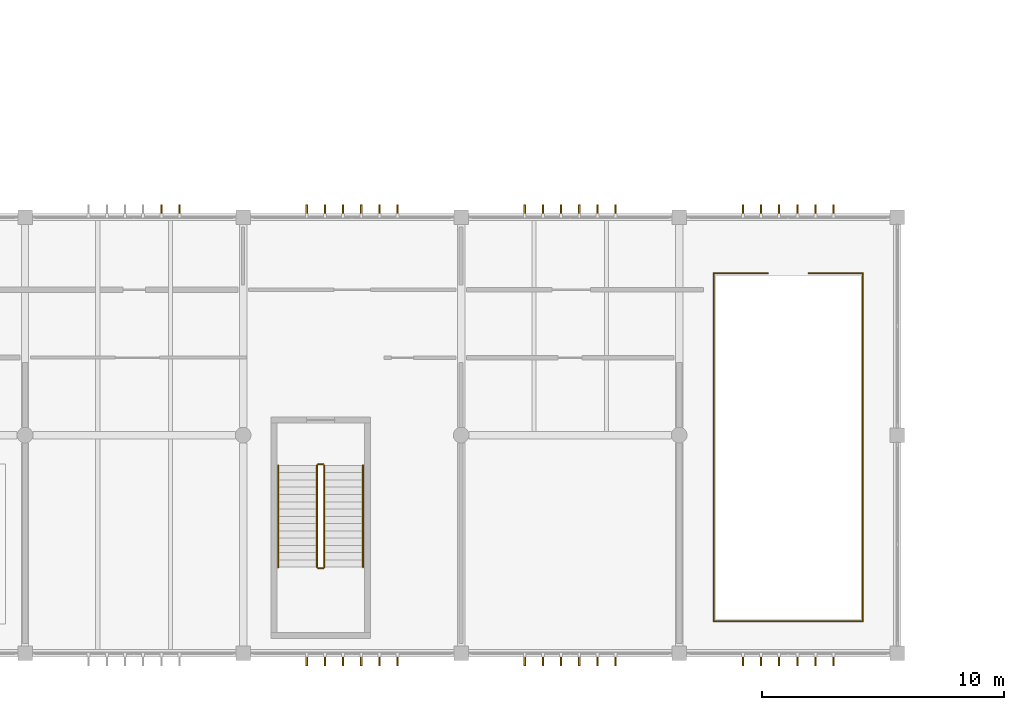
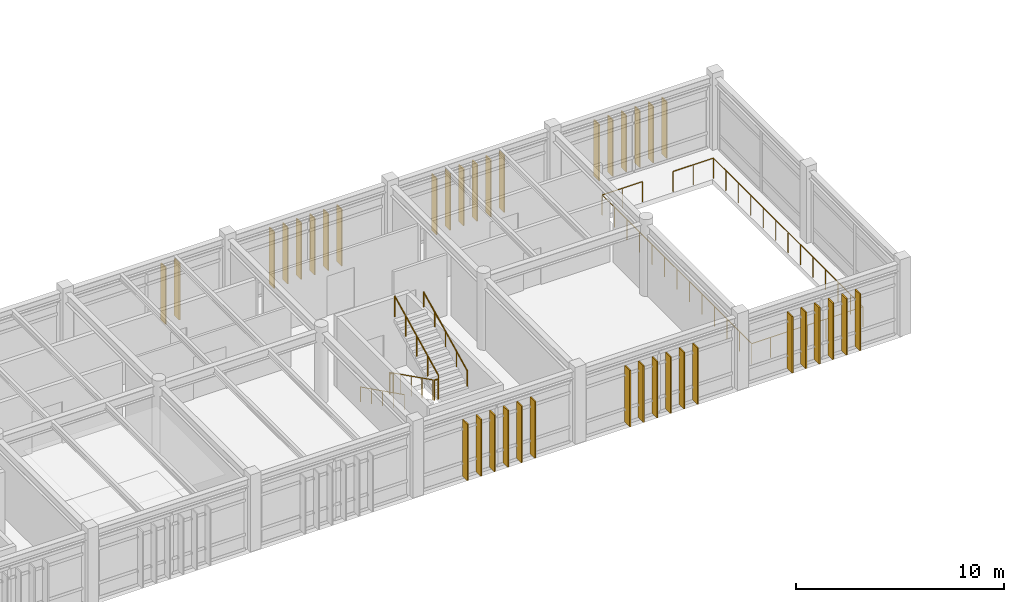
# One storey, part 51 of 55: 38 shading devices, 11 railings.
"""IFC4 building model written with IfcOpenShell, lengths in metres."""

import ifcopenshell
import ifcopenshell.guid

model = None  # the IFC model being written
_history = None  # IfcOwnerHistory: only IFC2X3 demands one
_inside = {}  # id of a spatial element -> (the spatial element, [elements in it])
_under = {}  # id of a project, library or spatial element -> (it, [spatial elements below it])
_declared = {}  # id of a project -> (the project, [libraries it declares])
_typed = {}  # id of a type object -> (the type object, [elements of that type])
_made_of = {}  # id of a material, layer set ... -> (it, [elements and type objects made of it])


def new_model(schema):
    """Start an empty IFC model of exactly this schema.

    Asked for "IFC4X3", IfcOpenShell would pick the latest addendum, in which some entities
    have other attributes; the version numbers below select the first issue.
    IFC2X3 requires an IfcOwnerHistory on every rooted entity: one is made here for all.
    """
    global model, _history
    if schema == "IFC4X3":
        model = ifcopenshell.file(schema_version=(4, 3, 0, 0))
    else:
        model = ifcopenshell.file(schema=schema)
    _inside.clear()
    _under.clear()
    _declared.clear()
    _typed.clear()
    _made_of.clear()
    _history = None
    if model.schema == "IFC2X3":
        org = make("IfcOrganization", Name="unknown")
        user = make(
            "IfcPersonAndOrganization",
            ThePerson=make("IfcPerson", FamilyName="unknown"),
            TheOrganization=org,
        )
        app = make(
            "IfcApplication",
            ApplicationDeveloper=org,
            Version="unknown",
            ApplicationFullName="unknown",
            ApplicationIdentifier="unknown",
        )
        _history = make(
            "IfcOwnerHistory",
            OwningUser=user,
            OwningApplication=app,
            ChangeAction="ADDED",
            CreationDate=0,
        )
    return model


def make(cls, **values):
    """One entity of the class cls with the attributes given. An attribute that is None is left unset."""
    return model.create_entity(
        cls, **{name: value for name, value in values.items() if value is not None}
    )


def rooted(cls, **values):
    """An entity with a GlobalId (a new one), such as an element, a storey or a relation."""
    return make(cls, GlobalId=ifcopenshell.guid.new(), OwnerHistory=_history, **values)


def si_unit(unit_type, name, prefix=None):
    """IfcSIUnit, for example si_unit("LENGTHUNIT", "METRE", prefix="MILLI")."""
    return make("IfcSIUnit", UnitType=unit_type, Prefix=prefix, Name=name)


def assignment(units):
    """IfcUnitAssignment: the units of a project."""
    return None if units is None else make("IfcUnitAssignment", Units=units)


def point(xyz):
    """IfcCartesianPoint."""
    return None if xyz is None else make("IfcCartesianPoint", Coordinates=xyz)


def direction(xyz):
    """IfcDirection."""
    return None if xyz is None else make("IfcDirection", DirectionRatios=xyz)


def frame(location, z_axis=None, x_axis=None):
    """IfcAxis2Placement3D, a coordinate frame: its origin and axes. An axis left out is left unset."""
    return make(
        "IfcAxis2Placement3D",
        Location=point(location),
        Axis=direction(z_axis),
        RefDirection=direction(x_axis),
    )


def frame_2d(location, x_axis=None):
    """IfcAxis2Placement2D, a coordinate frame in the plane: its origin and x axis."""
    return make(
        "IfcAxis2Placement2D", Location=point(location), RefDirection=direction(x_axis)
    )


def origin():
    """The frame at (0, 0, 0) with its axes left unset."""
    return frame((0.0, 0.0, 0.0))


def origin_2d():
    """The frame at (0, 0) in the plane with its x axis left unset."""
    return frame_2d((0.0, 0.0))


def place(relative_to, where):
    """IfcLocalPlacement: puts the frame where relative to a parent placement (None: the world)."""
    return make(
        "IfcLocalPlacement", PlacementRelTo=relative_to, RelativePlacement=where
    )


def context(
    kind, dimensions, precision=None, world=None, true_north=None, identifier=None
):
    """IfcGeometricRepresentationContext, for example the 3D "Model" context."""
    return make(
        "IfcGeometricRepresentationContext",
        ContextIdentifier=identifier,
        ContextType=kind,
        CoordinateSpaceDimension=dimensions,
        Precision=precision,
        WorldCoordinateSystem=world,
        TrueNorth=true_north,
    )


def subcontext(parent, identifier, kind, view, scale=None):
    """IfcGeometricRepresentationSubContext, for example "Body" below "Model"."""
    return make(
        "IfcGeometricRepresentationSubContext",
        ContextIdentifier=identifier,
        ContextType=kind,
        ParentContext=parent,
        TargetScale=scale,
        TargetView=view,
    )


def project(units=None, contexts=None):
    """IfcProject with its units and contexts."""
    return rooted(
        "IfcProject",
        Name="project",
        RepresentationContexts=contexts,
        UnitsInContext=assignment(units),
    )


def spatial(cls, under=None, at=None, **own):
    """A site, building, storey or space (cls), placed at a placement, below another one or the project."""
    s = rooted(cls, ObjectPlacement=at, **own)
    if under is not None:
        _under.setdefault(under.id(), (under, []))[1].append(s)
    return s


def profile(cls, at=None, kind="AREA", **sizes):
    """A parametric profile (cls). Its sizes go by their IFC names, for example OverallWidth=200.0."""
    return make(cls, ProfileType=kind, Position=at, **sizes)


def rectangle(**sizes):
    """IfcRectangleProfileDef."""
    return profile("IfcRectangleProfileDef", **sizes)


def circle(**sizes):
    """IfcCircleProfileDef."""
    return profile("IfcCircleProfileDef", **sizes)


def extrude(swept, where, along, depth):
    """IfcExtrudedAreaSolid: the profile swept, set in the frame where, extruded along a direction by depth."""
    return make(
        "IfcExtrudedAreaSolid",
        SweptArea=swept,
        Position=where,
        ExtrudedDirection=direction(along),
        Depth=depth,
    )


def shape(context_of_items, identifier, shape_type, items):
    """IfcShapeRepresentation: the items that make up one representation, for example the "Body"."""
    return make(
        "IfcShapeRepresentation",
        ContextOfItems=context_of_items,
        RepresentationIdentifier=identifier,
        RepresentationType=shape_type,
        Items=items,
    )


def material(Name=None, Category=None):
    """IfcMaterial."""
    return make("IfcMaterial", Name=Name, Category=Category)


def made_of(thing, what):
    """Note that an element or type object is made of a material, layer set ...; save() writes the relation."""
    if what is not None:
        _made_of.setdefault(what.id(), (what, []))[1].append(thing)
    return thing


def type_object(cls, material=None, **own):
    """A type object (cls), such as IfcWallType, which elements share."""
    return made_of(rooted(cls, **own), material)


def element(
    cls,
    number,
    at=None,
    inside=None,
    cuts=None,
    type_object=None,
    material=None,
    context=None,
    identifier="Body",
    shape_type=None,
    held_by="IfcProductDefinitionShape",
    body=None,
    shapes=None,
    **own,
):
    """One element of the class cls, such as IfcWall. Its Tag is "e" and its number.

    at: its placement. inside: the storey or other place that contains it. cuts: it is an
    opening in that element (IfcRelVoidsElement). A single representation is given by context,
    identifier, shape_type and body (its items); several are given by shapes. held_by: the class
    of the entity that holds the representations. save() writes the other relations.
    """
    e = rooted(cls, Tag="e%d" % number, ObjectPlacement=at, **own)
    if body is not None:
        shapes = [shape(context, identifier, shape_type, body)]
    if shapes is not None:
        e.Representation = make(held_by, Representations=shapes)
    if inside is not None:
        _inside.setdefault(inside.id(), (inside, []))[1].append(e)
    if cuts is not None:
        rooted(
            "IfcRelVoidsElement", RelatingBuildingElement=cuts, RelatedOpeningElement=e
        )
    if type_object is not None:
        _typed.setdefault(type_object.id(), (type_object, []))[1].append(e)
    return made_of(e, material)


def aggregate(whole, parts):
    """IfcRelAggregates: a whole, such as a stair, and the parts it consists of."""
    return rooted("IfcRelAggregates", RelatingObject=whole, RelatedObjects=parts)


def save(model, path):
    """Write the relations noted so far, then the file.

    IfcRelAggregates (storeys below a building ...), IfcRelContainedInSpatialStructure (elements
    in a storey), IfcRelDefinesByType, IfcRelAssociatesMaterial and IfcRelDeclares: one each for
    every whole, place, type object, material and project.
    """
    for whole, parts in _under.values():
        aggregate(whole, parts)
    for where, things in _inside.values():
        rooted(
            "IfcRelContainedInSpatialStructure",
            RelatedElements=things,
            RelatingStructure=where,
        )
    for kind, things in _typed.values():
        rooted("IfcRelDefinesByType", RelatedObjects=things, RelatingType=kind)
    for what, things in _made_of.values():
        rooted("IfcRelAssociatesMaterial", RelatedObjects=things, RelatingMaterial=what)
    for by, libraries in _declared.values():
        rooted("IfcRelDeclares", RelatingContext=by, RelatedDefinitions=libraries)
    model.write(path)


model = new_model("IFC4")

# Units and contexts
model_context = context("Model", 3, precision=1e-05, world=origin(), true_north=direction((0.0, 1.0)))
body_context = subcontext(model_context, "Body", "Model", "MODEL_VIEW")
ifc_project = project(units=[si_unit("LENGTHUNIT", "METRE"), si_unit("AREAUNIT", "SQUARE_METRE"), si_unit("VOLUMEUNIT", "CUBIC_METRE"), si_unit("PLANEANGLEUNIT", "RADIAN"), si_unit("MASSUNIT", "GRAM", prefix="KILO")], contexts=[model_context])

# Site, building, storey
site_placement = place(None, origin())
site = spatial("IfcSite", under=ifc_project, at=site_placement, CompositionType="ELEMENT")
building_placement = place(site_placement, origin())
building = spatial("IfcBuilding", under=site, at=building_placement, Name="Bozkorgan Art Gallery", CompositionType="ELEMENT")
storey_placement = place(building_placement, frame((0.0, 0.0, 15.0)))
storey = spatial("IfcBuildingStorey", under=building, at=storey_placement, Name="L03", CompositionType="ELEMENT", Elevation=15.0)

# Railings
ifc_material_1 = material(Name="Steel S355J2", Category="steel")
railing_type_1 = type_object("IfcRailingType", Name="RAIL-BAL-INT", PredefinedType="BALUSTRADE", material=ifc_material_1)
railing_1_placement = place(storey_placement, frame((57.419921875, 3.320068359375, 0.0)))
element("IfcRailing", 1, at=railing_1_placement, inside=storey, type_object=railing_type_1, Name="V1 L03 gallery_stair_atrium guard S", PredefinedType="BALUSTRADE", context=body_context, shape_type="SweptSolid", body=[
    extrude(circle(Radius=0.02392578125, at=origin_2d()), frame((0.0, 0.0, 1.17578125), z_axis=(1.0, 0.0, 0.0), x_axis=(0.0, 1.0, 0.0)), (0.0, 0.0, 1.0), 6.16015625),
    extrude(circle(Radius=0.02099609375, at=origin_2d()), origin(), (0.0, 0.0, 1.0), 1.15185546875),
    extrude(circle(Radius=0.02099609375, at=origin_2d()), frame((1.026611328125, 0.0, 0.0)), (0.0, 0.0, 1.0), 1.15185546875),
    extrude(circle(Radius=0.02099609375, at=origin_2d()), frame((2.053466796875, 0.0, 0.0)), (0.0, 0.0, 1.0), 1.15185546875),
    extrude(circle(Radius=0.02099609375, at=origin_2d()), frame((3.080078125, 0.0, 0.0)), (0.0, 0.0, 1.0), 1.15185546875),
    extrude(circle(Radius=0.02099609375, at=origin_2d()), frame((4.106689453125, 0.0, 0.0)), (0.0, 0.0, 1.0), 1.15185546875),
    extrude(circle(Radius=0.02099609375, at=origin_2d()), frame((5.133544921875, 0.0, 0.0)), (0.0, 0.0, 1.0), 1.15185546875),
    extrude(circle(Radius=0.02099609375, at=origin_2d()), frame((6.16015625, 0.0, 0.0)), (0.0, 0.0, 1.0), 1.15185546875),
])
railing_2_placement = place(storey_placement, frame((57.419921875, 3.320068359375, 0.0)))
element("IfcRailing", 2, at=railing_2_placement, inside=storey, type_object=railing_type_1, Name="V1 L03 gallery_stair_atrium guard W", PredefinedType="BALUSTRADE", context=body_context, shape_type="SweptSolid", body=[
    extrude(circle(Radius=0.02392578125, at=origin_2d()), frame((0.0, 0.0, 1.17578125), z_axis=(0.0, 1.0, 0.0), x_axis=(-1.0, 0.0, 0.0)), (0.0, 0.0, 1.0), 14.35986328125),
    extrude(circle(Radius=0.02099609375, at=origin_2d()), origin(), (0.0, 0.0, 1.0), 1.15185546875),
    extrude(circle(Radius=0.02099609375, at=origin_2d()), frame((0.0, 1.19677734375, 0.0)), (0.0, 0.0, 1.0), 1.15185546875),
    extrude(circle(Radius=0.02099609375, at=origin_2d()), frame((0.0, 2.393310546875, 0.0)), (0.0, 0.0, 1.0), 1.15185546875),
    extrude(circle(Radius=0.02099609375, at=origin_2d()), frame((0.0, 3.58984375, 0.0)), (0.0, 0.0, 1.0), 1.15185546875),
    extrude(circle(Radius=0.02099609375, at=origin_2d()), frame((0.0, 4.78662109375, 0.0)), (0.0, 0.0, 1.0), 1.15185546875),
    extrude(circle(Radius=0.02099609375, at=origin_2d()), frame((0.0, 5.9833984375, 0.0)), (0.0, 0.0, 1.0), 1.15185546875),
    extrude(circle(Radius=0.02099609375, at=origin_2d()), frame((0.0, 7.179931640625, 0.0)), (0.0, 0.0, 1.0), 1.15185546875),
    extrude(circle(Radius=0.02099609375, at=origin_2d()), frame((0.0, 8.37646484375, 0.0)), (0.0, 0.0, 1.0), 1.15185546875),
    extrude(circle(Radius=0.02099609375, at=origin_2d()), frame((0.0, 9.5732421875, 0.0)), (0.0, 0.0, 1.0), 1.15185546875),
    extrude(circle(Radius=0.02099609375, at=origin_2d()), frame((0.0, 10.77001953125, 0.0)), (0.0, 0.0, 1.0), 1.15185546875),
    extrude(circle(Radius=0.02099609375, at=origin_2d()), frame((0.0, 11.966552734375, 0.0)), (0.0, 0.0, 1.0), 1.15185546875),
    extrude(circle(Radius=0.02099609375, at=origin_2d()), frame((0.0, 13.1630859375, 0.0)), (0.0, 0.0, 1.0), 1.15185546875),
    extrude(circle(Radius=0.02099609375, at=origin_2d()), frame((0.0, 14.35986328125, 0.0)), (0.0, 0.0, 1.0), 1.15185546875),
])
railing_3_placement = place(storey_placement, frame((63.580078125, 3.320068359375, 0.0)))
element("IfcRailing", 3, at=railing_3_placement, inside=storey, type_object=railing_type_1, Name="V1 L03 gallery_stair_atrium guard E", PredefinedType="BALUSTRADE", context=body_context, shape_type="SweptSolid", body=[
    extrude(circle(Radius=0.02392578125, at=origin_2d()), frame((0.0, 0.0, 1.17578125), z_axis=(0.0, 1.0, 0.0), x_axis=(-1.0, 0.0, 0.0)), (0.0, 0.0, 1.0), 14.35986328125),
    extrude(circle(Radius=0.02099609375, at=origin_2d()), origin(), (0.0, 0.0, 1.0), 1.15185546875),
    extrude(circle(Radius=0.02099609375, at=origin_2d()), frame((0.0, 1.19677734375, 0.0)), (0.0, 0.0, 1.0), 1.15185546875),
    extrude(circle(Radius=0.02099609375, at=origin_2d()), frame((0.0, 2.393310546875, 0.0)), (0.0, 0.0, 1.0), 1.15185546875),
    extrude(circle(Radius=0.02099609375, at=origin_2d()), frame((0.0, 3.58984375, 0.0)), (0.0, 0.0, 1.0), 1.15185546875),
    extrude(circle(Radius=0.02099609375, at=origin_2d()), frame((0.0, 4.78662109375, 0.0)), (0.0, 0.0, 1.0), 1.15185546875),
    extrude(circle(Radius=0.02099609375, at=origin_2d()), frame((0.0, 5.9833984375, 0.0)), (0.0, 0.0, 1.0), 1.15185546875),
    extrude(circle(Radius=0.02099609375, at=origin_2d()), frame((0.0, 7.179931640625, 0.0)), (0.0, 0.0, 1.0), 1.15185546875),
    extrude(circle(Radius=0.02099609375, at=origin_2d()), frame((0.0, 8.37646484375, 0.0)), (0.0, 0.0, 1.0), 1.15185546875),
    extrude(circle(Radius=0.02099609375, at=origin_2d()), frame((0.0, 9.5732421875, 0.0)), (0.0, 0.0, 1.0), 1.15185546875),
    extrude(circle(Radius=0.02099609375, at=origin_2d()), frame((0.0, 10.77001953125, 0.0)), (0.0, 0.0, 1.0), 1.15185546875),
    extrude(circle(Radius=0.02099609375, at=origin_2d()), frame((0.0, 11.966552734375, 0.0)), (0.0, 0.0, 1.0), 1.15185546875),
    extrude(circle(Radius=0.02099609375, at=origin_2d()), frame((0.0, 13.1630859375, 0.0)), (0.0, 0.0, 1.0), 1.15185546875),
    extrude(circle(Radius=0.02099609375, at=origin_2d()), frame((0.0, 14.35986328125, 0.0)), (0.0, 0.0, 1.0), 1.15185546875),
])
for number, where, name in (
    (4, (57.419921875, 17.679931640625, 0.0), "V1 L03 gallery_stair_atrium guard N1"),
    (5, (61.35009765625, 17.679931640625, 0.0), "V1 L03 gallery_stair_atrium guard N2"),
):
    element("IfcRailing", number, at=place(storey_placement, frame(where)), inside=storey, type_object=railing_type_1, Name=name, PredefinedType="BALUSTRADE", context=body_context, shape_type="SweptSolid", body=[
        extrude(circle(Radius=0.02392578125, at=origin_2d()), frame((0.0, 0.0, 1.17578125), z_axis=(1.0, 0.0, 0.0), x_axis=(0.0, 1.0, 0.0)), (0.0, 0.0, 1.0), 2.22998046875),
        extrude(circle(Radius=0.02099609375, at=origin_2d()), origin(), (0.0, 0.0, 1.0), 1.15185546875),
        extrude(circle(Radius=0.02099609375, at=origin_2d()), frame((1.114990234375, 0.0, 0.0)), (0.0, 0.0, 1.0), 1.15185546875),
        extrude(circle(Radius=0.02099609375, at=origin_2d()), frame((2.22998046875, 0.0, 0.0)), (0.0, 0.0, 1.0), 1.15185546875),
    ])
railing_type_2 = type_object("IfcRailingType", Name="RAIL-GRD-115", PredefinedType="GUARDRAIL", material=ifc_material_1)
railing_4_placement = place(storey_placement, frame((41.050048828125, 9.75, 0.14990234375)))
element("IfcRailing", 6, at=railing_4_placement, inside=storey, type_object=railing_type_2, Name="L03 ST12 stair guard 1", PredefinedType="GUARDRAIL", context=body_context, shape_type="SweptSolid", body=[
    extrude(circle(Radius=0.02392578125, at=origin_2d()), frame((0.0, 0.0, 1.17578125), z_axis=(0.0, -0.894416792377, 0.447234392142), x_axis=(1.0, 0.0, 0.0)), (0.0, 0.0, 1.0), 4.69580078125),
    extrude(circle(Radius=0.02099609375, at=origin_2d()), origin(), (0.0, 0.0, 1.0), 1.15185546875),
    extrude(circle(Radius=0.02099609375, at=origin_2d()), frame((0.0, -1.050048828125, 0.52490234375)), (0.0, 0.0, 1.0), 1.15185546875),
    extrude(circle(Radius=0.02099609375, at=origin_2d()), frame((0.0, -2.10009765625, 1.050048828125)), (0.0, 0.0, 1.0), 1.15185546875),
    extrude(circle(Radius=0.02099609375, at=origin_2d()), frame((0.0, -3.14990234375, 1.5751953125)), (0.0, 0.0, 1.0), 1.15185546875),
    extrude(circle(Radius=0.02099609375, at=origin_2d()), frame((0.0, -4.199951171875, 2.10009765625)), (0.0, 0.0, 1.0), 1.15185546875),
])
railing_5_placement = place(storey_placement, frame((41.10009765625, 5.5, 2.25)))
element("IfcRailing", 7, at=railing_5_placement, inside=storey, type_object=railing_type_2, Name="L03 ST12 stair guard 2", PredefinedType="GUARDRAIL", context=body_context, shape_type="SweptSolid", body=[
    extrude(circle(Radius=0.02392578125, at=origin_2d()), frame((0.0, 0.0, 1.17578125), z_axis=(1.0, 0.0, 0.0), x_axis=(0.0, 1.0, 0.0)), (0.0, 0.0, 1.0), 0.199951171875),
    extrude(circle(Radius=0.02099609375, at=origin_2d()), origin(), (0.0, 0.0, 1.0), 1.15185546875),
    extrude(circle(Radius=0.02099609375, at=origin_2d()), frame((0.199951171875, 0.0, 0.0)), (0.0, 0.0, 1.0), 1.15185546875),
])
railing_6_placement = place(storey_placement, frame((41.35009765625, 5.550048828125, 2.39990234375)))
element("IfcRailing", 8, at=railing_6_placement, inside=storey, type_object=railing_type_2, Name="L03 ST12 stair guard 3", PredefinedType="GUARDRAIL", context=body_context, shape_type="SweptSolid", body=[
    extrude(circle(Radius=0.02392578125, at=origin_2d()), frame((0.0, 0.0, 1.17578125), z_axis=(0.0, 0.894416792377, 0.447234392142), x_axis=(-1.0, 0.0, 0.0)), (0.0, 0.0, 1.0), 4.69580078125),
    extrude(circle(Radius=0.02099609375, at=origin_2d()), origin(), (0.0, 0.0, 1.0), 1.15185546875),
    extrude(circle(Radius=0.02099609375, at=origin_2d()), frame((0.0, 1.050048828125, 0.52490234375)), (0.0, 0.0, 1.0), 1.15185546875),
    extrude(circle(Radius=0.02099609375, at=origin_2d()), frame((0.0, 2.10009765625, 1.050048828125)), (0.0, 0.0, 1.0), 1.15185546875),
    extrude(circle(Radius=0.02099609375, at=origin_2d()), frame((0.0, 3.14990234375, 1.5751953125)), (0.0, 0.0, 1.0), 1.15185546875),
    extrude(circle(Radius=0.02099609375, at=origin_2d()), frame((0.0, 4.199951171875, 2.10009765625)), (0.0, 0.0, 1.0), 1.15185546875),
])
railing_7_placement = place(storey_placement, frame((41.10009765625, 9.800048828125, 0.0)))
element("IfcRailing", 9, at=railing_7_placement, inside=storey, type_object=railing_type_2, Name="L03 ST12 stair guard 4", PredefinedType="GUARDRAIL", context=body_context, shape_type="SweptSolid", body=[
    extrude(circle(Radius=0.02392578125, at=origin_2d()), frame((0.0, 0.0, 1.17578125), z_axis=(1.0, 0.0, 0.0), x_axis=(0.0, 1.0, 0.0)), (0.0, 0.0, 1.0), 0.199951171875),
    extrude(circle(Radius=0.02099609375, at=origin_2d()), origin(), (0.0, 0.0, 1.0), 1.15185546875),
    extrude(circle(Radius=0.02099609375, at=origin_2d()), frame((0.199951171875, 0.0, 0.0)), (0.0, 0.0, 1.0), 1.15185546875),
])
railing_type_3 = type_object("IfcRailingType", Name="RAIL-HND-092", PredefinedType="HANDRAIL", material=ifc_material_1)
railing_8_placement = place(storey_placement, frame((39.449951171875, 9.75, 0.14990234375)))
element("IfcRailing", 10, at=railing_8_placement, inside=storey, type_object=railing_type_3, Name="L03 ST12 stair handrail 1", PredefinedType="HANDRAIL", context=body_context, shape_type="SweptSolid", body=[
    extrude(circle(Radius=0.02392578125, at=origin_2d()), frame((0.0, 0.0, 0.8759765625), z_axis=(0.0, -0.894416792377, 0.447234392142), x_axis=(1.0, 0.0, 0.0)), (0.0, 0.0, 1.0), 4.69580078125),
    extrude(circle(Radius=0.02099609375, at=origin_2d()), origin(), (0.0, 0.0, 1.0), 0.851806640625),
    extrude(circle(Radius=0.02099609375, at=origin_2d()), frame((0.0, -1.050048828125, 0.52490234375)), (0.0, 0.0, 1.0), 0.851806640625),
    extrude(circle(Radius=0.02099609375, at=origin_2d()), frame((0.0, -2.10009765625, 1.050048828125)), (0.0, 0.0, 1.0), 0.851806640625),
    extrude(circle(Radius=0.02099609375, at=origin_2d()), frame((0.0, -3.14990234375, 1.5751953125)), (0.0, 0.0, 1.0), 0.851806640625),
    extrude(circle(Radius=0.02099609375, at=origin_2d()), frame((0.0, -4.199951171875, 2.10009765625)), (0.0, 0.0, 1.0), 0.851806640625),
])
railing_9_placement = place(storey_placement, frame((42.949951171875, 5.550048828125, 2.39990234375)))
element("IfcRailing", 11, at=railing_9_placement, inside=storey, type_object=railing_type_3, Name="L03 ST12 stair handrail 2", PredefinedType="HANDRAIL", context=body_context, shape_type="SweptSolid", body=[
    extrude(circle(Radius=0.02392578125, at=origin_2d()), frame((0.0, 0.0, 0.8759765625), z_axis=(0.0, 0.894416792377, 0.447234392142), x_axis=(-1.0, 0.0, 0.0)), (0.0, 0.0, 1.0), 4.69580078125),
    extrude(circle(Radius=0.02099609375, at=origin_2d()), origin(), (0.0, 0.0, 1.0), 0.851806640625),
    extrude(circle(Radius=0.02099609375, at=origin_2d()), frame((0.0, 1.050048828125, 0.52490234375)), (0.0, 0.0, 1.0), 0.851806640625),
    extrude(circle(Radius=0.02099609375, at=origin_2d()), frame((0.0, 2.10009765625, 1.050048828125)), (0.0, 0.0, 1.0), 0.851806640625),
    extrude(circle(Radius=0.02099609375, at=origin_2d()), frame((0.0, 3.14990234375, 1.5751953125)), (0.0, 0.0, 1.0), 0.851806640625),
    extrude(circle(Radius=0.02099609375, at=origin_2d()), frame((0.0, 4.199951171875, 2.10009765625)), (0.0, 0.0, 1.0), 0.851806640625),
])

# Shading devices
ifc_material_2 = material(Name="Polychrome Vitrified Ceramic Tile")
shading_device_type = type_object("IfcShadingDeviceType", Name="SHD-FIN-01", PredefinedType="USERDEFINED", material=ifc_material_2)
for number, where, z_axis, x_axis, name in (
    (12, (34.625, 20.280029296875, 0.14013671875), (0.0, 0.0, 1.0), (0.0, 1.0, 0.0), "CW-V1-L03-1N-08 vertical solar fin 5"),
    (13, (35.375, 20.280029296875, 0.14013671875), (0.0, 0.0, 1.0), (0.0, 1.0, 0.0), "CW-V1-L03-1N-08 vertical solar fin 6"),
    (14, (40.625, 1.719970703125, 0.14013671875), (0.0, 0.0, 1.0), (0.0, -1.0, 0.0), "CW-V1-L03-1S-09 vertical solar fin 1"),
    (15, (41.375, 1.719970703125, 0.14013671875), (0.0, 0.0, 1.0), (0.0, -1.0, 0.0), "CW-V1-L03-1S-09 vertical solar fin 2"),
    (16, (42.125, 1.719970703125, 0.14013671875), (0.0, 0.0, 1.0), (0.0, -1.0, 0.0), "CW-V1-L03-1S-09 vertical solar fin 3"),
    (17, (42.875, 1.719970703125, 0.14013671875), (0.0, 0.0, 1.0), (0.0, -1.0, 0.0), "CW-V1-L03-1S-09 vertical solar fin 4"),
    (18, (43.625, 1.719970703125, 0.14013671875), (0.0, 0.0, 1.0), (0.0, -1.0, 0.0), "CW-V1-L03-1S-09 vertical solar fin 5"),
    (19, (44.375, 1.719970703125, 0.14013671875), (0.0, 0.0, 1.0), (0.0, -1.0, 0.0), "CW-V1-L03-1S-09 vertical solar fin 6"),
    (20, (40.625, 20.280029296875, 0.14013671875), (0.0, 0.0, 1.0), (0.0, 1.0, 0.0), "CW-V1-L03-1N-10 vertical solar fin 1"),
    (21, (41.375, 20.280029296875, 0.14013671875), (0.0, 0.0, 1.0), (0.0, 1.0, 0.0), "CW-V1-L03-1N-10 vertical solar fin 2"),
    (22, (42.125, 20.280029296875, 0.14013671875), (0.0, 0.0, 1.0), (0.0, 1.0, 0.0), "CW-V1-L03-1N-10 vertical solar fin 3"),
    (23, (42.875, 20.280029296875, 0.14013671875), (0.0, 0.0, 1.0), (0.0, 1.0, 0.0), "CW-V1-L03-1N-10 vertical solar fin 4"),
    (24, (43.625, 20.280029296875, 0.14013671875), (0.0, 0.0, 1.0), (0.0, 1.0, 0.0), "CW-V1-L03-1N-10 vertical solar fin 5"),
    (25, (44.375, 20.280029296875, 0.14013671875), (0.0, 0.0, 1.0), (0.0, 1.0, 0.0), "CW-V1-L03-1N-10 vertical solar fin 6"),
    (26, (49.625, 1.719970703125, 0.14013671875), (0.0, 0.0, 1.0), (0.0, -1.0, 0.0), "CW-V1-L03-1S-11 vertical solar fin 1"),
    (27, (50.375, 1.719970703125, 0.14013671875), (0.0, 0.0, 1.0), (0.0, -1.0, 0.0), "CW-V1-L03-1S-11 vertical solar fin 2"),
    (28, (51.125, 1.719970703125, 0.14013671875), (0.0, 0.0, 1.0), (0.0, -1.0, 0.0), "CW-V1-L03-1S-11 vertical solar fin 3"),
    (29, (51.875, 1.719970703125, 0.14013671875), (0.0, 0.0, 1.0), (0.0, -1.0, 0.0), "CW-V1-L03-1S-11 vertical solar fin 4"),
    (30, (52.625, 1.719970703125, 0.14013671875), (0.0, 0.0, 1.0), (0.0, -1.0, 0.0), "CW-V1-L03-1S-11 vertical solar fin 5"),
    (31, (53.375, 1.719970703125, 0.14013671875), (0.0, 0.0, 1.0), (0.0, -1.0, 0.0), "CW-V1-L03-1S-11 vertical solar fin 6"),
    (32, (49.625, 20.280029296875, 0.14013671875), (0.0, 0.0, 1.0), (0.0, 1.0, 0.0), "CW-V1-L03-1N-12 vertical solar fin 1"),
    (33, (50.375, 20.280029296875, 0.14013671875), (0.0, 0.0, 1.0), (0.0, 1.0, 0.0), "CW-V1-L03-1N-12 vertical solar fin 2"),
    (34, (51.125, 20.280029296875, 0.14013671875), (0.0, 0.0, 1.0), (0.0, 1.0, 0.0), "CW-V1-L03-1N-12 vertical solar fin 3"),
    (35, (51.875, 20.280029296875, 0.14013671875), (0.0, 0.0, 1.0), (0.0, 1.0, 0.0), "CW-V1-L03-1N-12 vertical solar fin 4"),
    (36, (52.625, 20.280029296875, 0.14013671875), (0.0, 0.0, 1.0), (0.0, 1.0, 0.0), "CW-V1-L03-1N-12 vertical solar fin 5"),
    (37, (53.375, 20.280029296875, 0.14013671875), (0.0, 0.0, 1.0), (0.0, 1.0, 0.0), "CW-V1-L03-1N-12 vertical solar fin 6"),
    (38, (58.625, 1.719970703125, 0.14013671875), (0.0, 0.0, 1.0), (0.0, -1.0, 0.0), "CW-V1-L03-1S-13 vertical solar fin 1"),
    (39, (59.375, 1.719970703125, 0.14013671875), (0.0, 0.0, 1.0), (0.0, -1.0, 0.0), "CW-V1-L03-1S-13 vertical solar fin 2"),
    (40, (60.125, 1.719970703125, 0.14013671875), (0.0, 0.0, 1.0), (0.0, -1.0, 0.0), "CW-V1-L03-1S-13 vertical solar fin 3"),
    (41, (60.875, 1.719970703125, 0.14013671875), (0.0, 0.0, 1.0), (0.0, -1.0, 0.0), "CW-V1-L03-1S-13 vertical solar fin 4"),
    (42, (61.625, 1.719970703125, 0.14013671875), (0.0, 0.0, 1.0), (0.0, -1.0, 0.0), "CW-V1-L03-1S-13 vertical solar fin 5"),
    (43, (62.375, 1.719970703125, 0.14013671875), (0.0, 0.0, 1.0), (0.0, -1.0, 0.0), "CW-V1-L03-1S-13 vertical solar fin 6"),
    (44, (58.625, 20.280029296875, 0.14013671875), (0.0, 0.0, 1.0), (0.0, 1.0, 0.0), "CW-V1-L03-1N-14 vertical solar fin 1"),
    (45, (59.375, 20.280029296875, 0.14013671875), (0.0, 0.0, 1.0), (0.0, 1.0, 0.0), "CW-V1-L03-1N-14 vertical solar fin 2"),
    (46, (60.125, 20.280029296875, 0.14013671875), (0.0, 0.0, 1.0), (0.0, 1.0, 0.0), "CW-V1-L03-1N-14 vertical solar fin 3"),
    (47, (60.875, 20.280029296875, 0.14013671875), (0.0, 0.0, 1.0), (0.0, 1.0, 0.0), "CW-V1-L03-1N-14 vertical solar fin 4"),
    (48, (61.625, 20.280029296875, 0.14013671875), (0.0, 0.0, 1.0), (0.0, 1.0, 0.0), "CW-V1-L03-1N-14 vertical solar fin 5"),
    (49, (62.375, 20.280029296875, 0.14013671875), (0.0, 0.0, 1.0), (0.0, 1.0, 0.0), "CW-V1-L03-1N-14 vertical solar fin 6"),
):
    element("IfcShadingDevice", number, at=place(storey_placement, frame(where, z_axis=z_axis, x_axis=x_axis)), inside=storey, type_object=shading_device_type, Name=name, ObjectType="FIN", PredefinedType="USERDEFINED", context=body_context, shape_type="SweptSolid", body=[
        extrude(rectangle(XDim=0.47998046875, YDim=0.06494140625, at=origin_2d()), origin(), (0.0, 0.0, 1.0), 3.31494140625),
    ])

save(model, "model.ifc")
